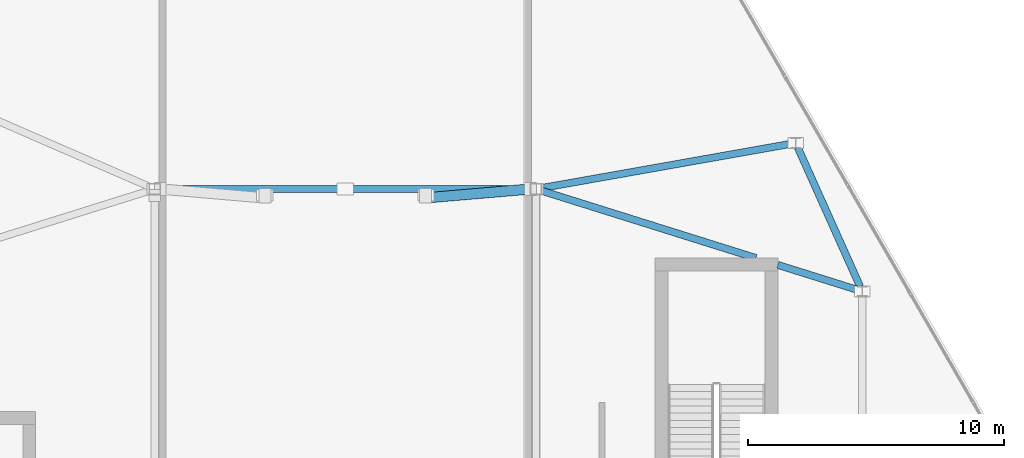
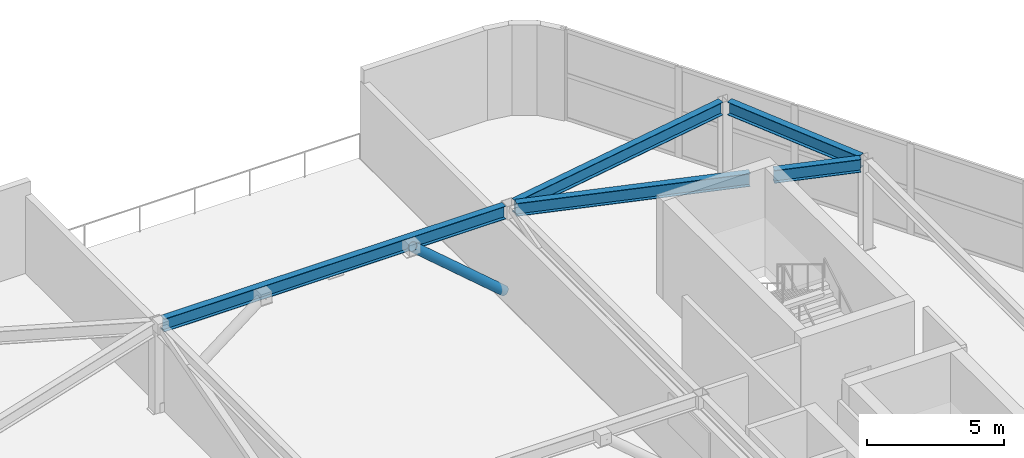
# One storey, part 11 of 17: 5 beams, 1 member.
"""IFC4 building model written with IfcOpenShell, lengths in metres."""

from ifc_helpers import new_model, si_unit, direction, frame, origin, origin_2d, place, context, subcontext, project, spatial, hollow_circle, i_section, extrude, material, material_profile, profile_set, type_object, element, save


model = new_model("IFC4")

# Units and contexts
model_context = context("Model", 3, precision=1e-05, world=origin(), true_north=direction((0.0, 1.0)))
body_context = subcontext(model_context, "Body", "Model", "MODEL_VIEW")
ifc_project = project(units=[si_unit("LENGTHUNIT", "METRE"), si_unit("AREAUNIT", "SQUARE_METRE"), si_unit("VOLUMEUNIT", "CUBIC_METRE"), si_unit("PLANEANGLEUNIT", "RADIAN"), si_unit("MASSUNIT", "GRAM", prefix="KILO")], contexts=[model_context])

# Site, building, storey
site_placement = place(None, origin())
site = spatial("IfcSite", under=ifc_project, at=site_placement, CompositionType="ELEMENT")
building_placement = place(site_placement, origin())
building = spatial("IfcBuilding", under=site, at=building_placement, Name="Zuhravey Tower", CompositionType="ELEMENT")
storey_placement = place(building_placement, frame((0.0, 0.0, 361.39990234375)))
storey = spatial("IfcBuildingStorey", under=building, at=storey_placement, Name="L92", CompositionType="ELEMENT", Elevation=361.39990234375)

# Beams
ifc_material = material(Name="Steel SM355", Category="steel")
ifc_material_profile_1 = material_profile(ifc_material, i_section(OverallWidth=0.280029296875, OverallDepth=0.580078125, WebThickness=0.011962890625, FlangeThickness=0.01904296875, at=origin_2d()), Name="H-580x280x12x19")
ifc_profile_set_1 = profile_set([ifc_material_profile_1], Name="Steel SM355")
beam_type = type_object("IfcBeamType", Name="Perimeter Ring Beam H580x280", PredefinedType="BEAM", material=ifc_profile_set_1)
beam_1_placement = place(storey_placement, frame((56.116455078125, 42.18603515625, 3.760009765625), z_axis=(-0.409053547057, 0.912510381113, 0.0), x_axis=(-0.912510381113, -0.409053547057, 0.0)))
element("IfcBeam", 1, at=beam_1_placement, inside=storey, type_object=beam_type, Name="L92 PB4 BM-L92-ECR-1-3", PredefinedType="BEAM", context=body_context, shape_type="SweptSolid", body=[
    extrude(i_section(OverallWidth=0.280029296875, OverallDepth=0.580078125, WebThickness=0.011962890625, FlangeThickness=0.01904296875, at=origin_2d()), origin(), (0.0, 0.0, 1.0), 5.9482421875),
])
beam_2_placement = place(storey_placement, frame((53.399169921875, 47.764404296875, 3.760009765625), z_axis=(-0.984637117377, -0.174613135483, 0.0), x_axis=(0.174613135483, -0.984637117377, 0.0)))
element("IfcBeam", 2, at=beam_2_placement, inside=storey, type_object=beam_type, Name="L92 PB4 BM-L92-ECR-3-6", PredefinedType="BEAM", context=body_context, shape_type="SweptSolid", body=[
    extrude(i_section(OverallWidth=0.280029296875, OverallDepth=0.580078125, WebThickness=0.011962890625, FlangeThickness=0.01904296875, at=origin_2d()), origin(), (0.0, 0.0, 1.0), 9.875244140625),
])
beam_3_placement = place(storey_placement, frame((56.00537109375, 42.06103515625, 3.760009765625), z_axis=(-0.95415195588, 0.299322643799, 0.0), x_axis=(-0.299322643799, -0.95415195588, 0.0)))
element("IfcBeam", 3, at=beam_3_placement, inside=storey, type_object=beam_type, Name="L92 PB4 BM-L92-ECR-1-6 (1)", PredefinedType="BEAM", context=body_context, shape_type="SweptSolid", body=[
    extrude(i_section(OverallWidth=0.280029296875, OverallDepth=0.580078125, WebThickness=0.011962890625, FlangeThickness=0.01904296875, at=origin_2d()), origin(), (0.0, 0.0, 1.0), 3.250244140625),
])
beam_4_placement = place(storey_placement, frame((52.04345703125, 43.303955078125, 3.760009765625), z_axis=(-0.954146799125, 0.299339081512, 0.0), x_axis=(-0.299339081512, -0.954146799125, 0.0)))
element("IfcBeam", 4, at=beam_4_placement, inside=storey, type_object=beam_type, Name="L92 PB4 BM-L92-ECR-1-6 (2)", PredefinedType="BEAM", context=body_context, shape_type="SweptSolid", body=[
    extrude(i_section(OverallWidth=0.280029296875, OverallDepth=0.580078125, WebThickness=0.011962890625, FlangeThickness=0.01904296875, at=origin_2d()), origin(), (0.0, 0.0, 1.0), 8.777587890625),
])
beam_5_placement = place(storey_placement, frame((28.780029296875, 46.0, 3.755126953125), z_axis=(1.0, 0.0, 0.0), x_axis=(0.0, 1.0, 0.0)))
element("IfcBeam", 5, at=beam_5_placement, inside=storey, type_object=beam_type, Name="L92 Wind-Portal Tie Girder PB4-3", PredefinedType="BEAM", context=body_context, shape_type="SweptSolid", body=[
    extrude(i_section(OverallWidth=0.280029296875, OverallDepth=0.580078125, WebThickness=0.011962890625, FlangeThickness=0.01904296875, at=origin_2d()), origin(), (0.0, 0.0, 1.0), 14.43994140625),
])

# Member
ifc_material_profile_2 = material_profile(ifc_material, hollow_circle(Radius=0.203125, WallThickness=0.02001953125, at=origin_2d()), Name="CHS-406.4x20")
ifc_profile_set_2 = profile_set([ifc_material_profile_2], Name="Steel SM355")
member_type = type_object("IfcMemberType", Name="Wind-Portal Arch Brace CHS406x20", PredefinedType="BRACE", material=ifc_profile_set_2)
member_placement = place(storey_placement, frame((43.219482421875, 45.999755859375, 0.181396484375), z_axis=(-0.747122272379, -0.063852005514, 0.661612599265), x_axis=(0.085153511528, -0.996367843457, 0.0)))
element("IfcMember", 6, at=member_placement, inside=storey, type_object=member_type, Name="L92 Wind-Portal Arch Brace WPB1-3E", PredefinedType="BRACE", context=body_context, shape_type="SweptSolid", body=[
    extrude(hollow_circle(Radius=0.203125, WallThickness=0.02001953125, at=origin_2d()), origin(), (0.0, 0.0, 1.0), 5.44482421875),
])

save(model, "model.ifc")
